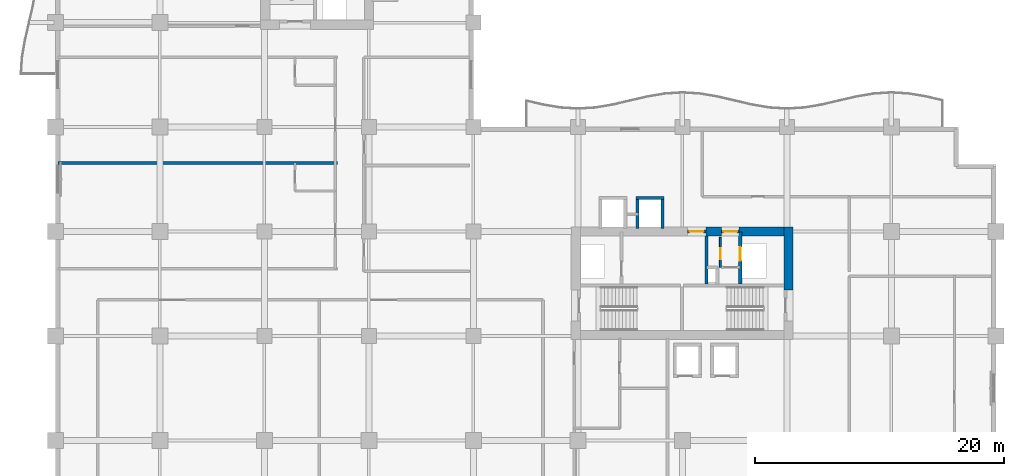
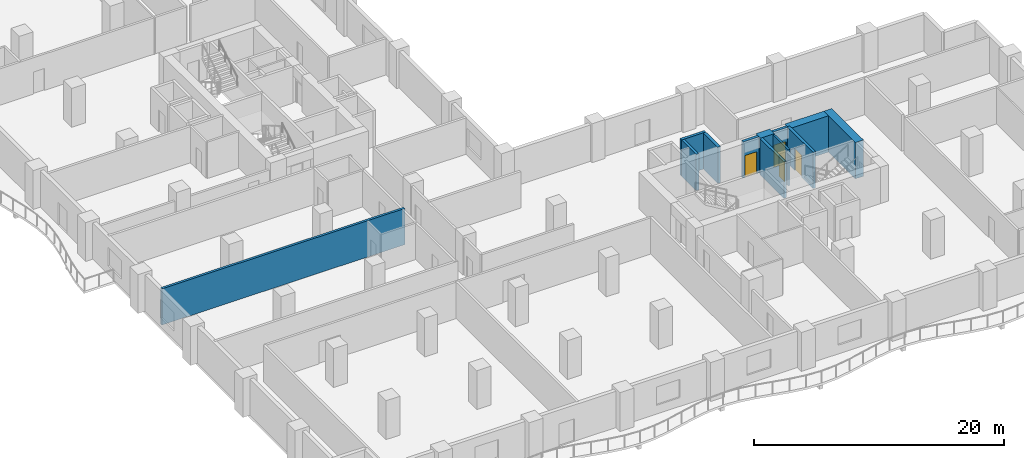
# One storey, part 8 of 22: 12 walls, 4 doors, 4 openings.
"""IFC4 building model written with IfcOpenShell, lengths in metres."""

from ifc_helpers import new_model, si_unit, direction, frame, frame_2d, origin, place, context, subcontext, project, spatial, rectangle, extrude, material, layer, layer_set, type_object, element, fill, save


model = new_model("IFC4")

# Units and contexts
model_context = context("Model", 3, precision=1e-05, world=origin(), true_north=direction((0.0, 1.0)))
body_context = subcontext(model_context, "Body", "Model", "MODEL_VIEW")
ifc_project = project(units=[si_unit("LENGTHUNIT", "METRE"), si_unit("AREAUNIT", "SQUARE_METRE"), si_unit("VOLUMEUNIT", "CUBIC_METRE"), si_unit("PLANEANGLEUNIT", "RADIAN"), si_unit("MASSUNIT", "GRAM", prefix="KILO")], contexts=[model_context])

# Site, building, storey
site_placement = place(None, origin())
site = spatial("IfcSite", under=ifc_project, at=site_placement, CompositionType="ELEMENT")
building_placement = place(site_placement, origin())
building = spatial("IfcBuilding", under=site, at=building_placement, Name="Koriwani Terraces Tower", CompositionType="ELEMENT")
storey_placement = place(building_placement, frame((0.0, 0.0, 141.800048828125)))
storey = spatial("IfcBuildingStorey", under=building, at=storey_placement, Name="L34", CompositionType="ELEMENT", Elevation=141.800048828125)

# Walls
ifc_material_1 = material(Name="Concrete C60/75", Category="concrete")
ifc_layer_1 = layer(ifc_material_1, 0.75, Name="Concrete C60/75")
ifc_layer_set_1 = layer_set([ifc_layer_1], Name="Concrete C60/75")
wall_type_1 = type_object("IfcWallType", Name="WALL_CORE_RC_750", PredefinedType="SHEAR", material=ifc_layer_set_1)
wall_1_placement = place(storey_placement, frame((58.925048828125, 20.5, 0.0), z_axis=(0.0, 0.0, 1.0), x_axis=(0.0, 1.0, 0.0)))
element("IfcWall", 1, at=wall_1_placement, inside=storey, type_object=wall_type_1, Name="L34 East Split Core Shear Wall E2", PredefinedType="SHEAR", context=body_context, shape_type="SweptSolid", body=[
    extrude(rectangle(XDim=5.074951171875, YDim=0.75, at=frame_2d((2.53759765625, 0.0))), origin(), (0.0, 0.0, 1.0), 3.550048828125),
])
wall_2_placement = place(storey_placement, frame((52.280029296875, 25.199951171875, 0.0), z_axis=(0.0, 0.0, 1.0), x_axis=(1.0, 0.0, 0.0)))
element("IfcWall", 2, at=wall_2_placement, inside=storey, type_object=wall_type_1, Name="L34 East Split Core Shear Wall N2", PredefinedType="SHEAR", context=body_context, shape_type="SweptSolid", body=[
    extrude(rectangle(XDim=1.27001953125, YDim=0.75, at=frame_2d((0.635009765625, 0.0))), origin(), (0.0, 0.0, 1.0), 3.550048828125),
])
wall_3_placement = place(storey_placement, frame((54.949951171875, 25.199951171875, 0.0), z_axis=(0.0, 0.0, 1.0), x_axis=(1.0, 0.0, 0.0)))
element("IfcWall", 3, at=wall_3_placement, inside=storey, type_object=wall_type_1, Name="L34 East Split Core Shear Wall N3", PredefinedType="SHEAR", context=body_context, shape_type="SweptSolid", body=[
    extrude(rectangle(XDim=3.60009765625, YDim=0.75, at=frame_2d((1.800048828125, 0.0))), origin(), (0.0, 0.0, 1.0), 3.550048828125),
])
ifc_material_2 = material(Name="Autoclaved Cellular Concrete Blockwork", Category="masonry")
ifc_layer_2 = layer(ifc_material_2, 0.219970703125, Name="Autoclaved Cellular Concrete Blockwork")
ifc_layer_set_2 = layer_set([ifc_layer_2], Name="Autoclaved Cellular Concrete Blockwork")
wall_type_2 = type_object("IfcWallType", Name="WALL_DEMISING_220", PredefinedType="PARTITIONING", material=ifc_layer_set_2)
wall_4_placement = place(storey_placement, frame((0.199951171875, 30.699951171875, 0.0), z_axis=(0.0, 0.0, 1.0), x_axis=(1.0, 0.0, 0.0)))
element("IfcWall", 4, at=wall_4_placement, inside=storey, type_object=wall_type_2, Name="L34 Interior Wall WDEM-L34-NW-1", PredefinedType="PARTITIONING", context=body_context, shape_type="SweptSolid", body=[
    extrude(rectangle(XDim=22.47998046875, YDim=0.219970703125, at=frame_2d((11.239990234375, 0.0))), origin(), (0.0, 0.0, 1.0), 3.550048828125),
])

# Wall, opening, door
ifc_material_3 = material(Name="Concrete C40/50", Category="concrete")
ifc_layer_3 = layer(ifc_material_3, 0.25, Name="Concrete C40/50")
ifc_layer_set_3 = layer_set([ifc_layer_3], Name="Concrete C40/50")
wall_type_3 = type_object("IfcWallType", Name="WALL_SHAFT_RATED_250", PredefinedType="SOLIDWALL", material=ifc_layer_set_3)
wall_5_placement = place(storey_placement, frame((50.800048828125, 25.199951171875, 0.0), z_axis=(0.0, 0.0, 1.0), x_axis=(1.0, 0.0, 0.0)))
wall_5 = element("IfcWall", 5, at=wall_5_placement, inside=storey, type_object=wall_type_3, Name="L34 Interior Wall WIN-CE-L34-NP", PredefinedType="SOLIDWALL", context=body_context, shape_type="SweptSolid", body=[
    extrude(rectangle(XDim=1.47998046875, YDim=0.25, at=frame_2d((0.739990234375, 0.0))), origin(), (0.0, 0.0, 1.0), 3.550048828125),
])
opening_1_placement = place(wall_5_placement, frame((0.179931640625, 0.0, 0.0)))
opening_1 = element("IfcOpeningElement", 6, at=opening_1_placement, cuts=wall_5, Name="Opening D-03", PredefinedType="OPENING", context=body_context, shape_type="SweptSolid", body=[
    extrude(rectangle(XDim=1.10009765625, YDim=2.14990234375, at=frame_2d((0.550048828125, 1.074951171875))), frame((0.0, 0.135009765625, 0.0), z_axis=(0.0, -1.0, 0.0), x_axis=(1.0, 0.0, 0.0)), (0.0, 0.0, 1.0), 0.27001953125),
])
ifc_material_4 = material(Name="Steel ASTM A572 Grade 50", Category="steel")
door_type_1 = type_object("IfcDoorType", Name="DOOR_STAIR_FIRE_1100X2150", OperationType="NOTDEFINED", PredefinedType="DOOR", material=ifc_material_4)
door_1_placement = place(opening_1_placement, origin())
door_1 = element("IfcDoor", 7, at=door_1_placement, inside=storey, type_object=door_type_1, Name="L34 East Firefighting Lobby Door", OperationType="SINGLE_SWING_RIGHT", OverallHeight=2.14990234375, OverallWidth=1.10009765625, PredefinedType="DOOR", context=body_context, shape_type="SweptSolid", body=[
    extrude(rectangle(XDim=1.10009765625, YDim=2.14990234375, at=frame_2d((0.550048828125, 1.074951171875))), frame((0.0, 0.02490234375, 0.0), z_axis=(0.0, -1.0, 0.0), x_axis=(1.0, 0.0, 0.0)), (0.0, 0.0, 1.0), 0.050048828125),
])
fill(opening_1, door_1)

# Wall
wall_6_placement = place(storey_placement, frame((52.340087890625, 21.0, 0.0), z_axis=(0.0, 0.0, 1.0), x_axis=(0.0, 1.0, 0.0)))
element("IfcWall", 8, at=wall_6_placement, inside=storey, type_object=wall_type_3, Name="L34 Interior Wall WIN-CE-L34-FFE", PredefinedType="SOLIDWALL", context=body_context, shape_type="SweptSolid", body=[
    extrude(rectangle(XDim=3.824951171875, YDim=0.25, at=frame_2d((1.91259765625, 0.0))), origin(), (0.0, 0.0, 1.0), 3.550048828125),
])

# Wall, opening, door
wall_7_placement = place(storey_placement, frame((55.050048828125, 21.0, 0.0), z_axis=(0.0, 0.0, 1.0), x_axis=(0.0, 1.0, 0.0)))
wall_7 = element("IfcWall", 9, at=wall_7_placement, inside=storey, type_object=wall_type_3, Name="L34 Interior Wall WIN-CE-L34-SE", PredefinedType="SOLIDWALL", context=body_context, shape_type="SweptSolid", body=[
    extrude(rectangle(XDim=4.14990234375, YDim=0.25, at=frame_2d((2.074951171875, 0.0))), origin(), (0.0, 0.0, 1.0), 3.550048828125),
])
opening_2_placement = place(wall_7_placement, frame((1.85009765625, 0.0, 0.0)))
opening_2 = element("IfcOpeningElement", 10, at=opening_2_placement, cuts=wall_7, Name="Opening LD-01", PredefinedType="OPENING", context=body_context, shape_type="SweptSolid", body=[
    extrude(rectangle(XDim=1.10009765625, YDim=2.14990234375, at=frame_2d((0.550048828125, 1.074951171875))), frame((0.0, 0.135009765625, 0.0), z_axis=(0.0, -1.0, 0.0), x_axis=(1.0, 0.0, 0.0)), (0.0, 0.0, 1.0), 0.27001953125),
])
door_type_2 = type_object("IfcDoorType", Name="DOOR_LIFT_LANDING_1100X2200", OperationType="NOTDEFINED", PredefinedType="DOOR", material=ifc_material_4)
door_2_placement = place(opening_2_placement, origin())
door_2 = element("IfcDoor", 11, at=door_2_placement, inside=storey, type_object=door_type_2, Name="L34 Goods Lift SE-02 Landing Door", OperationType="SLIDING_TO_LEFT", OverallHeight=2.14990234375, OverallWidth=1.10009765625, PredefinedType="DOOR", context=body_context, shape_type="SweptSolid", body=[
    extrude(rectangle(XDim=1.10009765625, YDim=2.14990234375, at=frame_2d((0.550048828125, 1.074951171875))), frame((0.0, 0.02490234375, 0.0), z_axis=(0.0, -1.0, 0.0), x_axis=(1.0, 0.0, 0.0)), (0.0, 0.0, 1.0), 0.050048828125),
])
fill(opening_2, door_2)

wall_8_placement = place(storey_placement, frame((53.550048828125, 25.199951171875, 0.0), z_axis=(0.0, 0.0, 1.0), x_axis=(1.0, 0.0, 0.0)))
wall_8 = element("IfcWall", 12, at=wall_8_placement, inside=storey, type_object=wall_type_3, Name="L34 Interior Wall WIN-CE-L34-NP2", PredefinedType="SOLIDWALL", context=body_context, shape_type="SweptSolid", body=[
    extrude(rectangle(XDim=1.39990234375, YDim=0.25, at=frame_2d((0.699951171875, 0.0))), origin(), (0.0, 0.0, 1.0), 3.550048828125),
])
opening_3_placement = place(wall_8_placement, frame((0.14990234375, 0.0, 0.0)))
opening_3 = element("IfcOpeningElement", 13, at=opening_3_placement, cuts=wall_8, Name="Opening D-03", PredefinedType="OPENING", context=body_context, shape_type="SweptSolid", body=[
    extrude(rectangle(XDim=1.10009765625, YDim=2.14990234375, at=frame_2d((0.550048828125, 1.074951171875))), frame((0.0, 0.135009765625, 0.0), z_axis=(0.0, -1.0, 0.0), x_axis=(1.0, 0.0, 0.0)), (0.0, 0.0, 1.0), 0.27001953125),
])
door_3_placement = place(opening_3_placement, origin())
door_3 = element("IfcDoor", 14, at=door_3_placement, inside=storey, type_object=door_type_1, Name="L34 East Goods Lift Lobby Door", OperationType="SINGLE_SWING_LEFT", OverallHeight=2.14990234375, OverallWidth=1.10009765625, PredefinedType="DOOR", context=body_context, shape_type="SweptSolid", body=[
    extrude(rectangle(XDim=1.10009765625, YDim=2.14990234375, at=frame_2d((0.550048828125, 1.074951171875))), frame((0.0, 0.02490234375, 0.0), z_axis=(0.0, -1.0, 0.0), x_axis=(1.0, 0.0, 0.0)), (0.0, 0.0, 1.0), 0.050048828125),
])
fill(opening_3, door_3)

# Walls
wall_9_placement = place(storey_placement, frame((46.675048828125, 27.89990234375, 0.0), z_axis=(0.0, 0.0, 1.0), x_axis=(1.0, 0.0, 0.0)))
element("IfcWall", 15, at=wall_9_placement, inside=storey, type_object=wall_type_3, Name="L34 Interior Wall WIN-LF-PE-H4-L34-F", PredefinedType="SOLIDWALL", context=body_context, shape_type="SweptSolid", body=[
    extrude(rectangle(XDim=2.25, YDim=0.25, at=frame_2d((1.125, 0.0))), origin(), (0.0, 0.0, 1.0), 3.550048828125),
])
for number, where, z_axis, x_axis, name in (
    (16, (46.800048828125, 25.449951171875, 0.0), (0.0, 0.0, 1.0), (0.0, 1.0, 0.0), "L34 Interior Wall WIN-LF-PE-H4-L34-W"),
    (17, (48.800048828125, 25.449951171875, 0.0), (0.0, 0.0, 1.0), (0.0, 1.0, 0.0), "L34 Interior Wall WIN-LF-PE-H4-L34-E"),
):
    element("IfcWall", number, at=place(storey_placement, frame(where, z_axis=z_axis, x_axis=x_axis)), inside=storey, type_object=wall_type_3, Name=name, PredefinedType="SOLIDWALL", context=body_context, shape_type="SweptSolid", body=[
        extrude(rectangle(XDim=2.324951171875, YDim=0.25, at=frame_2d((1.16259765625, 0.0))), origin(), (0.0, 0.0, 1.0), 3.550048828125),
    ])

# Wall, opening, door
ifc_material_5 = material(Name="Fire-Rated Acoustic Gypsum Partition", Category="masonry")
ifc_layer_4 = layer(ifc_material_5, 0.159912109375, Name="Fire-Rated Acoustic Gypsum Partition")
ifc_layer_set_4 = layer_set([ifc_layer_4], Name="Fire-Rated Acoustic Gypsum Partition")
wall_type_4 = type_object("IfcWallType", Name="WALL_SUITE_160", PredefinedType="PARTITIONING", material=ifc_layer_set_4)
wall_10_placement = place(storey_placement, frame((53.4599609375, 22.320068359375, 0.0), z_axis=(0.0, 0.0, 1.0), x_axis=(0.0, 1.0, 0.0)))
wall_10 = element("IfcWall", 18, at=wall_10_placement, inside=storey, type_object=wall_type_4, Name="L34 Interior Wall WIN-CE-L34-SV1B", PredefinedType="PARTITIONING", context=body_context, shape_type="SweptSolid", body=[
    extrude(rectangle(XDim=2.39990234375, YDim=0.159912109375, at=frame_2d((1.199951171875, 0.0))), origin(), (0.0, 0.0, 1.0), 3.550048828125),
])
opening_4_placement = place(wall_10_placement, frame((0.64990234375, 0.0, 0.0)))
opening_4 = element("IfcOpeningElement", 19, at=opening_4_placement, cuts=wall_10, Name="Opening D-07", PredefinedType="OPENING", context=body_context, shape_type="SweptSolid", body=[
    extrude(rectangle(XDim=0.89990234375, YDim=2.10009765625, at=frame_2d((0.449951171875, 1.050048828125))), frame((0.0, 0.08984375, 0.0), z_axis=(0.0, -1.0, 0.0), x_axis=(1.0, 0.0, 0.0)), (0.0, 0.0, 1.0), 0.179931640625),
])
ifc_material_6 = material(Name="Architectural Oak Fire Door", Category="wood")
door_type_3 = type_object("IfcDoorType", Name="DOOR_BATH_INT_900X2100", OperationType="NOTDEFINED", PredefinedType="DOOR", material=ifc_material_6)
door_4_placement = place(opening_4_placement, origin())
door_4 = element("IfcDoor", 20, at=door_4_placement, inside=storey, type_object=door_type_3, Name="L34 East Cleaners Closet Door", OperationType="SINGLE_SWING_LEFT", OverallHeight=2.10009765625, OverallWidth=0.89990234375, PredefinedType="DOOR", context=body_context, shape_type="SweptSolid", body=[
    extrude(rectangle(XDim=0.89990234375, YDim=2.10009765625, at=frame_2d((0.449951171875, 1.050048828125))), frame((0.0, 0.02490234375, 0.0), z_axis=(0.0, -1.0, 0.0), x_axis=(1.0, 0.0, 0.0)), (0.0, 0.0, 1.0), 0.050048828125),
])
fill(opening_4, door_4)

save(model, "model.ifc")
